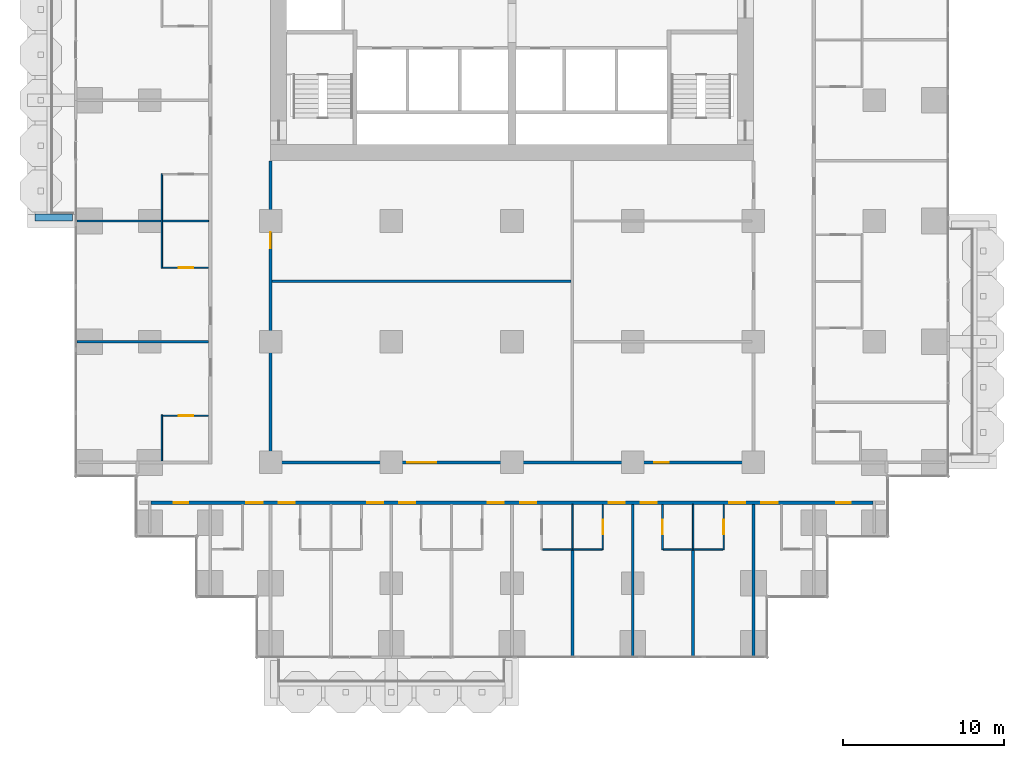
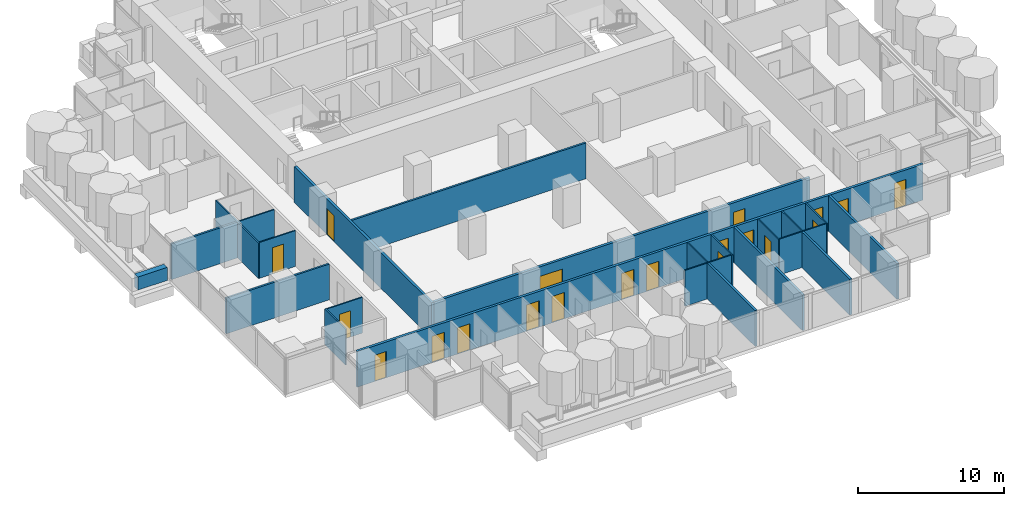
# One storey, part 10 of 17: 23 walls, 20 doors, 20 openings.
"""IFC4 building model written with IfcOpenShell, lengths in metres."""

from ifc_helpers import new_model, si_unit, direction, frame, frame_2d, origin, place, context, subcontext, project, spatial, rectangle, extrude, material, layer, layer_set, type_object, element, fill, save


model = new_model("IFC4")

# Units and contexts
model_context = context("Model", 3, precision=1e-05, world=origin(), true_north=direction((0.0, 1.0)))
body_context = subcontext(model_context, "Body", "Model", "MODEL_VIEW")
ifc_project = project(units=[si_unit("LENGTHUNIT", "METRE"), si_unit("AREAUNIT", "SQUARE_METRE"), si_unit("VOLUMEUNIT", "CUBIC_METRE"), si_unit("PLANEANGLEUNIT", "RADIAN"), si_unit("MASSUNIT", "GRAM", prefix="KILO")], contexts=[model_context])

# Site, building, storey
site_placement = place(None, origin())
site = spatial("IfcSite", under=ifc_project, at=site_placement, CompositionType="ELEMENT")
building_placement = place(site_placement, origin())
building = spatial("IfcBuilding", under=site, at=building_placement, Name="Pilkhan Gate Tower", CompositionType="ELEMENT")
storey_placement = place(building_placement, frame((0.0, 0.0, 49.39990234375)))
storey = spatial("IfcBuildingStorey", under=building, at=storey_placement, Name="L09", CompositionType="ELEMENT", Elevation=49.39990234375)

# Walls
ifc_material_1 = material(Name="Dense blockwork", Category="masonry")
ifc_layer_1 = layer(ifc_material_1, 0.175048828125)
ifc_layer_set_1 = layer_set([ifc_layer_1], Name="Acoustic party wall PW175")
wall_type_1 = type_object("IfcWallType", Name="Acoustic party wall PW175", PredefinedType="PARTITIONING", material=ifc_layer_set_1)
wall_1_placement = place(storey_placement, frame((78.75, 40.485107421875, 0.0), z_axis=(0.0, 0.0, 1.0), x_axis=(0.0, 1.0, 0.0)))
element("IfcWall", 1, at=wall_1_placement, inside=storey, type_object=wall_type_1, Name="Partition L09", PredefinedType="PARTITIONING", context=body_context, shape_type="SweptSolid", body=[
    extrude(rectangle(XDim=6.56494140625, YDim=0.175048828125, at=frame_2d((3.282470703125, 0.0))), origin(), (0.0, 0.0, 1.0), 3.0),
])
wall_2_placement = place(storey_placement, frame((82.5, 40.485107421875, 0.0), z_axis=(0.0, 0.0, 1.0), x_axis=(0.0, 1.0, 0.0)))
element("IfcWall", 2, at=wall_2_placement, inside=storey, type_object=wall_type_1, Name="Partition L09", PredefinedType="PARTITIONING", context=body_context, shape_type="SweptSolid", body=[
    extrude(rectangle(XDim=9.414794921875, YDim=0.175048828125, at=frame_2d((4.70751953125, 0.0))), origin(), (0.0, 0.0, 1.0), 3.0),
])
wall_3_placement = place(storey_placement, frame((86.25, 40.485107421875, 0.0), z_axis=(0.0, 0.0, 1.0), x_axis=(0.0, 1.0, 0.0)))
element("IfcWall", 3, at=wall_3_placement, inside=storey, type_object=wall_type_1, Name="Partition L09", PredefinedType="PARTITIONING", context=body_context, shape_type="SweptSolid", body=[
    extrude(rectangle(XDim=6.56494140625, YDim=0.175048828125, at=frame_2d((3.282470703125, 0.0))), origin(), (0.0, 0.0, 1.0), 3.0),
])
wall_4_placement = place(storey_placement, frame((90.0, 40.485107421875, 0.0), z_axis=(0.0, 0.0, 1.0), x_axis=(0.0, 1.0, 0.0)))
element("IfcWall", 4, at=wall_4_placement, inside=storey, type_object=wall_type_1, Name="Partition L09", PredefinedType="PARTITIONING", context=body_context, shape_type="SweptSolid", body=[
    extrude(rectangle(XDim=9.414794921875, YDim=0.175048828125, at=frame_2d((4.70751953125, 0.0))), origin(), (0.0, 0.0, 1.0), 3.0),
])
ifc_material_2 = material(Name="Board-marked Concrete C40/50", Category="concrete")
ifc_layer_2 = layer(ifc_material_2, 0.449951171875)
ifc_layer_set_2 = layer_set([ifc_layer_2], Name="Balcony planter lip BL450")
wall_type_2 = type_object("IfcWallType", Name="Balcony planter lip BL450", PredefinedType="USERDEFINED", material=ifc_layer_set_2)
wall_5_placement = place(storey_placement, frame((47.679931640625, 67.72509765625, 0.0), z_axis=(0.0, 0.0, 1.0), x_axis=(-1.0, 0.0, 0.0)))
element("IfcWall", 5, at=wall_5_placement, inside=storey, type_object=wall_type_2, Name="Balcony planter L09 W", ObjectType="BALCONY PLANTER", PredefinedType="USERDEFINED", context=body_context, shape_type="SweptSolid", body=[
    extrude(rectangle(XDim=2.329833984375, YDim=0.449951171875, at=frame_2d((1.1650390625, 0.0))), origin(), (0.0, 0.0, 1.0), 1.10009765625),
])

# Wall, openings, doors
ifc_layer_3 = layer(ifc_material_1, 0.199951171875)
ifc_layer_set_3 = layer_set([ifc_layer_3], Name="Corridor wall FW200")
wall_type_3 = type_object("IfcWallType", Name="Corridor wall FW200", PredefinedType="PARTITIONING", material=ifc_layer_set_3)
wall_6_placement = place(storey_placement, frame((52.574951171875, 50.0, 0.0), z_axis=(0.0, 0.0, 1.0), x_axis=(1.0, 0.0, 0.0)))
wall_6 = element("IfcWall", 6, at=wall_6_placement, inside=storey, type_object=wall_type_3, Name="Partition L09", PredefinedType="PARTITIONING", context=body_context, shape_type="SweptSolid", body=[
    extrude(rectangle(XDim=44.85009765625, YDim=0.199951171875, at=frame_2d((22.425048828125, 0.0))), origin(), (0.0, 0.0, 1.0), 3.0),
])
opening_1_placement = place(wall_6_placement, frame((5.925048828125, 0.0, 0.0)))
opening_1 = element("IfcOpeningElement", 7, at=opening_1_placement, cuts=wall_6, Name="Opening L09-06", PredefinedType="OPENING", context=body_context, shape_type="SweptSolid", body=[
    extrude(rectangle(XDim=1.0, YDim=2.199951171875, at=frame_2d((0.5, 1.10009765625))), frame((0.0, 0.10986328125, 0.0), z_axis=(0.0, -1.0, 0.0), x_axis=(1.0, 0.0, 0.0)), (0.0, 0.0, 1.0), 0.219970703125),
])
opening_2_placement = place(wall_6_placement, frame((7.925048828125, 0.0, 0.0)))
opening_2 = element("IfcOpeningElement", 8, at=opening_2_placement, cuts=wall_6, Name="Opening L09-08", PredefinedType="OPENING", context=body_context, shape_type="SweptSolid", body=[
    extrude(rectangle(XDim=1.0, YDim=2.199951171875, at=frame_2d((0.5, 1.10009765625))), frame((0.0, 0.10986328125, 0.0), z_axis=(0.0, -1.0, 0.0), x_axis=(1.0, 0.0, 0.0)), (0.0, 0.0, 1.0), 0.219970703125),
])
opening_3_placement = place(wall_6_placement, frame((13.425048828125, 0.0, 0.0)))
opening_3 = element("IfcOpeningElement", 9, at=opening_3_placement, cuts=wall_6, Name="Opening L09-10", PredefinedType="OPENING", context=body_context, shape_type="SweptSolid", body=[
    extrude(rectangle(XDim=1.0, YDim=2.199951171875, at=frame_2d((0.5, 1.10009765625))), frame((0.0, 0.10986328125, 0.0), z_axis=(0.0, -1.0, 0.0), x_axis=(1.0, 0.0, 0.0)), (0.0, 0.0, 1.0), 0.219970703125),
])
opening_4_placement = place(wall_6_placement, frame((15.425048828125, 0.0, 0.0)))
opening_4 = element("IfcOpeningElement", 10, at=opening_4_placement, cuts=wall_6, Name="Opening L09-12", PredefinedType="OPENING", context=body_context, shape_type="SweptSolid", body=[
    extrude(rectangle(XDim=1.0, YDim=2.199951171875, at=frame_2d((0.5, 1.10009765625))), frame((0.0, 0.10986328125, 0.0), z_axis=(0.0, -1.0, 0.0), x_axis=(1.0, 0.0, 0.0)), (0.0, 0.0, 1.0), 0.219970703125),
])
opening_5_placement = place(wall_6_placement, frame((20.925048828125, 0.0, 0.0)))
opening_5 = element("IfcOpeningElement", 11, at=opening_5_placement, cuts=wall_6, Name="Opening L09-14", PredefinedType="OPENING", context=body_context, shape_type="SweptSolid", body=[
    extrude(rectangle(XDim=1.0, YDim=2.199951171875, at=frame_2d((0.5, 1.10009765625))), frame((0.0, 0.10986328125, 0.0), z_axis=(0.0, -1.0, 0.0), x_axis=(1.0, 0.0, 0.0)), (0.0, 0.0, 1.0), 0.219970703125),
])
opening_6_placement = place(wall_6_placement, frame((22.925048828125, 0.0, 0.0)))
opening_6 = element("IfcOpeningElement", 12, at=opening_6_placement, cuts=wall_6, Name="Opening L09-16", PredefinedType="OPENING", context=body_context, shape_type="SweptSolid", body=[
    extrude(rectangle(XDim=1.0, YDim=2.199951171875, at=frame_2d((0.5, 1.10009765625))), frame((0.0, 0.10986328125, 0.0), z_axis=(0.0, -1.0, 0.0), x_axis=(1.0, 0.0, 0.0)), (0.0, 0.0, 1.0), 0.219970703125),
])
opening_7_placement = place(wall_6_placement, frame((28.425048828125, 0.0, 0.0)))
opening_7 = element("IfcOpeningElement", 13, at=opening_7_placement, cuts=wall_6, Name="Opening L09-18", PredefinedType="OPENING", context=body_context, shape_type="SweptSolid", body=[
    extrude(rectangle(XDim=1.0, YDim=2.199951171875, at=frame_2d((0.5, 1.10009765625))), frame((0.0, 0.10986328125, 0.0), z_axis=(0.0, -1.0, 0.0), x_axis=(1.0, 0.0, 0.0)), (0.0, 0.0, 1.0), 0.219970703125),
])
opening_8_placement = place(wall_6_placement, frame((30.425048828125, 0.0, 0.0)))
opening_8 = element("IfcOpeningElement", 14, at=opening_8_placement, cuts=wall_6, Name="Opening L09-20", PredefinedType="OPENING", context=body_context, shape_type="SweptSolid", body=[
    extrude(rectangle(XDim=1.0, YDim=2.199951171875, at=frame_2d((0.5, 1.10009765625))), frame((0.0, 0.10986328125, 0.0), z_axis=(0.0, -1.0, 0.0), x_axis=(1.0, 0.0, 0.0)), (0.0, 0.0, 1.0), 0.219970703125),
])
opening_9_placement = place(wall_6_placement, frame((35.925048828125, 0.0, 0.0)))
opening_9 = element("IfcOpeningElement", 15, at=opening_9_placement, cuts=wall_6, Name="Opening L09-22", PredefinedType="OPENING", context=body_context, shape_type="SweptSolid", body=[
    extrude(rectangle(XDim=1.0, YDim=2.199951171875, at=frame_2d((0.5, 1.10009765625))), frame((0.0, 0.10986328125, 0.0), z_axis=(0.0, -1.0, 0.0), x_axis=(1.0, 0.0, 0.0)), (0.0, 0.0, 1.0), 0.219970703125),
])
opening_10_placement = place(wall_6_placement, frame((37.925048828125, 0.0, 0.0)))
opening_10 = element("IfcOpeningElement", 16, at=opening_10_placement, cuts=wall_6, Name="Opening L09-24", PredefinedType="OPENING", context=body_context, shape_type="SweptSolid", body=[
    extrude(rectangle(XDim=1.0, YDim=2.199951171875, at=frame_2d((0.5, 1.10009765625))), frame((0.0, 0.10986328125, 0.0), z_axis=(0.0, -1.0, 0.0), x_axis=(1.0, 0.0, 0.0)), (0.0, 0.0, 1.0), 0.219970703125),
])
opening_11_placement = place(wall_6_placement, frame((1.39990234375, 0.0, 0.0)))
opening_11 = element("IfcOpeningElement", 17, at=opening_11_placement, cuts=wall_6, Name="Opening L09-52", PredefinedType="OPENING", context=body_context, shape_type="SweptSolid", body=[
    extrude(rectangle(XDim=0.89990234375, YDim=2.199951171875, at=frame_2d((0.449951171875, 1.10009765625))), frame((0.0, 0.10986328125, 0.0), z_axis=(0.0, -1.0, 0.0), x_axis=(1.0, 0.0, 0.0)), (0.0, 0.0, 1.0), 0.219970703125),
])
opening_12_placement = place(wall_6_placement, frame((42.574951171875, 0.0, 0.0)))
opening_12 = element("IfcOpeningElement", 18, at=opening_12_placement, cuts=wall_6, Name="Opening L09-53", PredefinedType="OPENING", context=body_context, shape_type="SweptSolid", body=[
    extrude(rectangle(XDim=0.89990234375, YDim=2.199951171875, at=frame_2d((0.449951171875, 1.10009765625))), frame((0.0, 0.10986328125, 0.0), z_axis=(0.0, -1.0, 0.0), x_axis=(1.0, 0.0, 0.0)), (0.0, 0.0, 1.0), 0.219970703125),
])
ifc_material_3 = material(Name="Timber flush door, 30 minute fire resisting", Category="wood")
door_type_1 = type_object("IfcDoorType", Name="Guest room door D01 1000x2200", OperationType="SINGLE_SWING_LEFT", PredefinedType="DOOR", material=ifc_material_3)
door_1_placement = place(opening_1_placement, origin())
door_1 = element("IfcDoor", 19, at=door_1_placement, inside=storey, type_object=door_type_1, Name="Guest room door", OperationType="SINGLE_SWING_LEFT", OverallHeight=2.199951171875, OverallWidth=1.0, PredefinedType="DOOR", context=body_context, shape_type="SweptSolid", body=[
    extrude(rectangle(XDim=1.0, YDim=2.199951171875, at=frame_2d((0.5, 1.10009765625))), frame((0.0, 0.02490234375, 0.0), z_axis=(0.0, -1.0, 0.0), x_axis=(1.0, 0.0, 0.0)), (0.0, 0.0, 1.0), 0.050048828125),
])
fill(opening_1, door_1)
door_2_placement = place(opening_2_placement, origin())
door_2 = element("IfcDoor", 20, at=door_2_placement, inside=storey, type_object=door_type_1, Name="Guest room door", OperationType="SINGLE_SWING_LEFT", OverallHeight=2.199951171875, OverallWidth=1.0, PredefinedType="DOOR", context=body_context, shape_type="SweptSolid", body=[
    extrude(rectangle(XDim=1.0, YDim=2.199951171875, at=frame_2d((0.5, 1.10009765625))), frame((0.0, 0.02490234375, 0.0), z_axis=(0.0, -1.0, 0.0), x_axis=(1.0, 0.0, 0.0)), (0.0, 0.0, 1.0), 0.050048828125),
])
fill(opening_2, door_2)
door_3_placement = place(opening_3_placement, origin())
door_3 = element("IfcDoor", 21, at=door_3_placement, inside=storey, type_object=door_type_1, Name="Guest room door", OperationType="SINGLE_SWING_LEFT", OverallHeight=2.199951171875, OverallWidth=1.0, PredefinedType="DOOR", context=body_context, shape_type="SweptSolid", body=[
    extrude(rectangle(XDim=1.0, YDim=2.199951171875, at=frame_2d((0.5, 1.10009765625))), frame((0.0, 0.02490234375, 0.0), z_axis=(0.0, -1.0, 0.0), x_axis=(1.0, 0.0, 0.0)), (0.0, 0.0, 1.0), 0.050048828125),
])
fill(opening_3, door_3)
door_4_placement = place(opening_4_placement, origin())
door_4 = element("IfcDoor", 22, at=door_4_placement, inside=storey, type_object=door_type_1, Name="Guest room door", OperationType="SINGLE_SWING_LEFT", OverallHeight=2.199951171875, OverallWidth=1.0, PredefinedType="DOOR", context=body_context, shape_type="SweptSolid", body=[
    extrude(rectangle(XDim=1.0, YDim=2.199951171875, at=frame_2d((0.5, 1.10009765625))), frame((0.0, 0.02490234375, 0.0), z_axis=(0.0, -1.0, 0.0), x_axis=(1.0, 0.0, 0.0)), (0.0, 0.0, 1.0), 0.050048828125),
])
fill(opening_4, door_4)
door_5_placement = place(opening_5_placement, origin())
door_5 = element("IfcDoor", 23, at=door_5_placement, inside=storey, type_object=door_type_1, Name="Guest room door", OperationType="SINGLE_SWING_RIGHT", OverallHeight=2.199951171875, OverallWidth=1.0, PredefinedType="DOOR", context=body_context, shape_type="SweptSolid", body=[
    extrude(rectangle(XDim=1.0, YDim=2.199951171875, at=frame_2d((0.5, 1.10009765625))), frame((0.0, 0.02490234375, 0.0), z_axis=(0.0, -1.0, 0.0), x_axis=(1.0, 0.0, 0.0)), (0.0, 0.0, 1.0), 0.050048828125),
])
fill(opening_5, door_5)
door_6_placement = place(opening_6_placement, origin())
door_6 = element("IfcDoor", 24, at=door_6_placement, inside=storey, type_object=door_type_1, Name="Guest room door", OperationType="SINGLE_SWING_LEFT", OverallHeight=2.199951171875, OverallWidth=1.0, PredefinedType="DOOR", context=body_context, shape_type="SweptSolid", body=[
    extrude(rectangle(XDim=1.0, YDim=2.199951171875, at=frame_2d((0.5, 1.10009765625))), frame((0.0, 0.02490234375, 0.0), z_axis=(0.0, -1.0, 0.0), x_axis=(1.0, 0.0, 0.0)), (0.0, 0.0, 1.0), 0.050048828125),
])
fill(opening_6, door_6)
door_7_placement = place(opening_7_placement, origin())
door_7 = element("IfcDoor", 25, at=door_7_placement, inside=storey, type_object=door_type_1, Name="Guest room door", OperationType="SINGLE_SWING_RIGHT", OverallHeight=2.199951171875, OverallWidth=1.0, PredefinedType="DOOR", context=body_context, shape_type="SweptSolid", body=[
    extrude(rectangle(XDim=1.0, YDim=2.199951171875, at=frame_2d((0.5, 1.10009765625))), frame((0.0, 0.02490234375, 0.0), z_axis=(0.0, -1.0, 0.0), x_axis=(1.0, 0.0, 0.0)), (0.0, 0.0, 1.0), 0.050048828125),
])
fill(opening_7, door_7)
door_8_placement = place(opening_8_placement, origin())
door_8 = element("IfcDoor", 26, at=door_8_placement, inside=storey, type_object=door_type_1, Name="Guest room door", OperationType="SINGLE_SWING_LEFT", OverallHeight=2.199951171875, OverallWidth=1.0, PredefinedType="DOOR", context=body_context, shape_type="SweptSolid", body=[
    extrude(rectangle(XDim=1.0, YDim=2.199951171875, at=frame_2d((0.5, 1.10009765625))), frame((0.0, 0.02490234375, 0.0), z_axis=(0.0, -1.0, 0.0), x_axis=(1.0, 0.0, 0.0)), (0.0, 0.0, 1.0), 0.050048828125),
])
fill(opening_8, door_8)
door_9_placement = place(opening_9_placement, origin())
door_9 = element("IfcDoor", 27, at=door_9_placement, inside=storey, type_object=door_type_1, Name="Guest room door", OperationType="SINGLE_SWING_LEFT", OverallHeight=2.199951171875, OverallWidth=1.0, PredefinedType="DOOR", context=body_context, shape_type="SweptSolid", body=[
    extrude(rectangle(XDim=1.0, YDim=2.199951171875, at=frame_2d((0.5, 1.10009765625))), frame((0.0, 0.02490234375, 0.0), z_axis=(0.0, -1.0, 0.0), x_axis=(1.0, 0.0, 0.0)), (0.0, 0.0, 1.0), 0.050048828125),
])
fill(opening_9, door_9)
door_10_placement = place(opening_10_placement, origin())
door_10 = element("IfcDoor", 28, at=door_10_placement, inside=storey, type_object=door_type_1, Name="Guest room door", OperationType="SINGLE_SWING_RIGHT", OverallHeight=2.199951171875, OverallWidth=1.0, PredefinedType="DOOR", context=body_context, shape_type="SweptSolid", body=[
    extrude(rectangle(XDim=1.0, YDim=2.199951171875, at=frame_2d((0.5, 1.10009765625))), frame((0.0, 0.02490234375, 0.0), z_axis=(0.0, -1.0, 0.0), x_axis=(1.0, 0.0, 0.0)), (0.0, 0.0, 1.0), 0.050048828125),
])
fill(opening_10, door_10)
ifc_material_4 = material(Name="Timber flush door, 60 minute fire resisting, self-closing", Category="wood")
door_type_2 = type_object("IfcDoorType", Name="Store door D05 900x2200", OperationType="SINGLE_SWING_LEFT", PredefinedType="DOOR", material=ifc_material_4)
door_11_placement = place(opening_11_placement, origin())
door_11 = element("IfcDoor", 29, at=door_11_placement, inside=storey, type_object=door_type_2, Name="Store door", OperationType="SINGLE_SWING_RIGHT", OverallHeight=2.199951171875, OverallWidth=0.89990234375, PredefinedType="DOOR", context=body_context, shape_type="SweptSolid", body=[
    extrude(rectangle(XDim=0.89990234375, YDim=2.199951171875, at=frame_2d((0.449951171875, 1.10009765625))), frame((0.0, 0.02490234375, 0.0), z_axis=(0.0, -1.0, 0.0), x_axis=(1.0, 0.0, 0.0)), (0.0, 0.0, 1.0), 0.050048828125),
])
fill(opening_11, door_11)
door_12_placement = place(opening_12_placement, origin())
door_12 = element("IfcDoor", 30, at=door_12_placement, inside=storey, type_object=door_type_2, Name="Store door", OperationType="SINGLE_SWING_LEFT", OverallHeight=2.199951171875, OverallWidth=0.89990234375, PredefinedType="DOOR", context=body_context, shape_type="SweptSolid", body=[
    extrude(rectangle(XDim=0.89990234375, YDim=2.199951171875, at=frame_2d((0.449951171875, 1.10009765625))), frame((0.0, 0.02490234375, 0.0), z_axis=(0.0, -1.0, 0.0), x_axis=(1.0, 0.0, 0.0)), (0.0, 0.0, 1.0), 0.050048828125),
])
fill(opening_12, door_12)

wall_7_placement = place(storey_placement, frame((60.10009765625, 52.5, 0.0), z_axis=(0.0, 0.0, 1.0), x_axis=(1.0, 0.0, 0.0)))
wall_7 = element("IfcWall", 31, at=wall_7_placement, inside=storey, type_object=wall_type_3, Name="Partition L09", PredefinedType="PARTITIONING", context=body_context, shape_type="SweptSolid", body=[
    extrude(rectangle(XDim=29.7998046875, YDim=0.199951171875, at=frame_2d((14.89990234375, 0.0))), origin(), (0.0, 0.0, 1.0), 3.0),
])
opening_13_placement = place(wall_7_placement, frame((8.39990234375, 0.0, 0.0)))
opening_13 = element("IfcOpeningElement", 32, at=opening_13_placement, cuts=wall_7, Name="Opening L09-55", PredefinedType="OPENING", context=body_context, shape_type="SweptSolid", body=[
    extrude(rectangle(XDim=1.800048828125, YDim=2.199951171875, at=frame_2d((0.89990234375, 1.10009765625))), frame((0.0, 0.10986328125, 0.0), z_axis=(0.0, -1.0, 0.0), x_axis=(1.0, 0.0, 0.0)), (0.0, 0.0, 1.0), 0.219970703125),
])
opening_14_placement = place(wall_7_placement, frame((23.75, 0.0, 0.0)))
opening_14 = element("IfcOpeningElement", 33, at=opening_14_placement, cuts=wall_7, Name="Opening L09-56", PredefinedType="OPENING", context=body_context, shape_type="SweptSolid", body=[
    extrude(rectangle(XDim=0.89990234375, YDim=2.199951171875, at=frame_2d((0.449951171875, 1.10009765625))), frame((0.0, 0.10986328125, 0.0), z_axis=(0.0, -1.0, 0.0), x_axis=(1.0, 0.0, 0.0)), (0.0, 0.0, 1.0), 0.219970703125),
])
ifc_material_5 = material(Name="Timber glazed double door, 30 minute fire resisting", Category="wood")
door_type_3 = type_object("IfcDoorType", Name="Double door D04 1800x2200", OperationType="DOUBLE_DOOR_SINGLE_SWING", PredefinedType="DOOR", material=ifc_material_5)
door_13_placement = place(opening_13_placement, origin())
door_13 = element("IfcDoor", 34, at=door_13_placement, inside=storey, type_object=door_type_3, Name="Double door", OperationType="DOUBLE_DOOR_SINGLE_SWING", OverallHeight=2.199951171875, OverallWidth=1.800048828125, PredefinedType="DOOR", context=body_context, shape_type="SweptSolid", body=[
    extrude(rectangle(XDim=1.800048828125, YDim=2.199951171875, at=frame_2d((0.89990234375, 1.10009765625))), frame((0.0, 0.02490234375, 0.0), z_axis=(0.0, -1.0, 0.0), x_axis=(1.0, 0.0, 0.0)), (0.0, 0.0, 1.0), 0.050048828125),
])
fill(opening_13, door_13)
door_14_placement = place(opening_14_placement, origin())
door_14 = element("IfcDoor", 35, at=door_14_placement, inside=storey, type_object=door_type_2, Name="Store door", OperationType="SINGLE_SWING_RIGHT", OverallHeight=2.199951171875, OverallWidth=0.89990234375, PredefinedType="DOOR", context=body_context, shape_type="SweptSolid", body=[
    extrude(rectangle(XDim=0.89990234375, YDim=2.199951171875, at=frame_2d((0.449951171875, 1.10009765625))), frame((0.0, 0.02490234375, 0.0), z_axis=(0.0, -1.0, 0.0), x_axis=(1.0, 0.0, 0.0)), (0.0, 0.0, 1.0), 0.050048828125),
])
fill(opening_14, door_14)

# Wall, opening, door
wall_8_placement = place(storey_placement, frame((60.0, 52.39990234375, 0.0), z_axis=(0.0, 0.0, 1.0), x_axis=(0.0, 1.0, 0.0)))
wall_8 = element("IfcWall", 36, at=wall_8_placement, inside=storey, type_object=wall_type_3, Name="Partition L09", PredefinedType="PARTITIONING", context=body_context, shape_type="SweptSolid", body=[
    extrude(rectangle(XDim=18.840087890625, YDim=0.199951171875, at=frame_2d((9.419921875, 0.0))), origin(), (0.0, 0.0, 1.0), 3.0),
])
opening_15_placement = place(wall_8_placement, frame((13.39990234375, 0.0, 0.0)))
opening_15 = element("IfcOpeningElement", 37, at=opening_15_placement, cuts=wall_8, Name="Opening L09-58", PredefinedType="OPENING", context=body_context, shape_type="SweptSolid", body=[
    extrude(rectangle(XDim=1.0, YDim=2.199951171875, at=frame_2d((0.5, 1.10009765625))), frame((0.0, 0.10986328125, 0.0), z_axis=(0.0, -1.0, 0.0), x_axis=(1.0, 0.0, 0.0)), (0.0, 0.0, 1.0), 0.219970703125),
])
door_type_4 = type_object("IfcDoorType", Name="Room door D03 1000x2200", OperationType="SINGLE_SWING_LEFT", PredefinedType="DOOR", material=ifc_material_3)
door_15_placement = place(opening_15_placement, origin())
door_15 = element("IfcDoor", 38, at=door_15_placement, inside=storey, type_object=door_type_4, Name="Room door", OperationType="SINGLE_SWING_LEFT", OverallHeight=2.199951171875, OverallWidth=1.0, PredefinedType="DOOR", context=body_context, shape_type="SweptSolid", body=[
    extrude(rectangle(XDim=1.0, YDim=2.199951171875, at=frame_2d((0.5, 1.10009765625))), frame((0.0, 0.02490234375, 0.0), z_axis=(0.0, -1.0, 0.0), x_axis=(1.0, 0.0, 0.0)), (0.0, 0.0, 1.0), 0.050048828125),
])
fill(opening_15, door_15)

# Walls
ifc_material_6 = material(Name="Blockwork partition, plastered both sides", Category="masonry")
ifc_layer_4 = layer(ifc_material_6, 0.14990234375)
ifc_layer_set_4 = layer_set([ifc_layer_4], Name="Partition PW150")
wall_type_4 = type_object("IfcWallType", Name="Partition PW150", PredefinedType="PARTITIONING", material=ifc_layer_set_4)
wall_9_placement = place(storey_placement, frame((47.985107421875, 60.0, 0.0), z_axis=(0.0, 0.0, 1.0), x_axis=(1.0, 0.0, 0.0)))
element("IfcWall", 39, at=wall_9_placement, inside=storey, type_object=wall_type_4, Name="Partition L09", PredefinedType="PARTITIONING", context=body_context, shape_type="SweptSolid", body=[
    extrude(rectangle(XDim=8.164794921875, YDim=0.14990234375, at=frame_2d((4.08251953125, 0.0))), origin(), (0.0, 0.0, 1.0), 3.0),
])
wall_10_placement = place(storey_placement, frame((60.10009765625, 63.75, 0.0), z_axis=(0.0, 0.0, 1.0), x_axis=(1.0, 0.0, 0.0)))
element("IfcWall", 40, at=wall_10_placement, inside=storey, type_object=wall_type_4, Name="Partition L09", PredefinedType="PARTITIONING", context=body_context, shape_type="SweptSolid", body=[
    extrude(rectangle(XDim=18.574951171875, YDim=0.14990234375, at=frame_2d((9.28759765625, 0.0))), origin(), (0.0, 0.0, 1.0), 3.0),
])
wall_11_placement = place(storey_placement, frame((47.985107421875, 67.5, 0.0), z_axis=(0.0, 0.0, 1.0), x_axis=(1.0, 0.0, 0.0)))
element("IfcWall", 41, at=wall_11_placement, inside=storey, type_object=wall_type_4, Name="Partition L09", PredefinedType="PARTITIONING", context=body_context, shape_type="SweptSolid", body=[
    extrude(rectangle(XDim=5.21484375, YDim=0.14990234375, at=frame_2d((2.607421875, 0.0))), origin(), (0.0, 0.0, 1.0), 3.0),
])
ifc_material_7 = material(Name="Moisture resistant board, tiled")
ifc_layer_5 = layer(ifc_material_7, 0.10009765625)
ifc_layer_set_5 = layer_set([ifc_layer_5], Name="Wet wall PW100")
wall_type_5 = type_object("IfcWallType", Name="Wet wall PW100", PredefinedType="PARTITIONING", material=ifc_layer_set_5)
for number, where, z_axis, x_axis, name in (
    (42, (76.89990234375, 47.10009765625, 0.0), (0.0, 0.0, 1.0), (1.0, 0.0, 0.0), "Partition L09"),
    (43, (84.39990234375, 47.10009765625, 0.0), (0.0, 0.0, 1.0), (1.0, 0.0, 0.0), "Partition L09"),
):
    element("IfcWall", number, at=place(storey_placement, frame(where, z_axis=z_axis, x_axis=x_axis)), inside=storey, type_object=wall_type_5, Name=name, PredefinedType="PARTITIONING", context=body_context, shape_type="SweptSolid", body=[
        extrude(rectangle(XDim=3.7001953125, YDim=0.10009765625, at=frame_2d((1.85009765625, 0.0))), origin(), (0.0, 0.0, 1.0), 3.0),
    ])

# Wall, opening, door
wall_12_placement = place(storey_placement, frame((53.300048828125, 55.39990234375, 0.0), z_axis=(0.0, 0.0, 1.0), x_axis=(1.0, 0.0, 0.0)))
wall_12 = element("IfcWall", 44, at=wall_12_placement, inside=storey, type_object=wall_type_5, Name="Partition L09", PredefinedType="PARTITIONING", context=body_context, shape_type="SweptSolid", body=[
    extrude(rectangle(XDim=2.849853515625, YDim=0.10009765625, at=frame_2d((1.4248046875, 0.0))), origin(), (0.0, 0.0, 1.0), 3.0),
])
opening_16_placement = place(wall_12_placement, frame((1.0, 0.0, 0.0)))
opening_16 = element("IfcOpeningElement", 45, at=opening_16_placement, cuts=wall_12, Name="Opening L09-27", PredefinedType="OPENING", context=body_context, shape_type="SweptSolid", body=[
    extrude(rectangle(XDim=0.89990234375, YDim=2.199951171875, at=frame_2d((0.449951171875, 1.10009765625))), frame((0.0, 0.06005859375, 0.0), z_axis=(0.0, -1.0, 0.0), x_axis=(1.0, 0.0, 0.0)), (0.0, 0.0, 1.0), 0.1201171875),
])
ifc_material_8 = material(Name="Timber flush door", Category="wood")
door_type_5 = type_object("IfcDoorType", Name="Bathroom door D02 900x2200", OperationType="SINGLE_SWING_RIGHT", PredefinedType="DOOR", material=ifc_material_8)
door_16_placement = place(opening_16_placement, origin())
door_16 = element("IfcDoor", 46, at=door_16_placement, inside=storey, type_object=door_type_5, Name="Bathroom door", OperationType="SINGLE_SWING_RIGHT", OverallHeight=2.199951171875, OverallWidth=0.89990234375, PredefinedType="DOOR", context=body_context, shape_type="SweptSolid", body=[
    extrude(rectangle(XDim=0.89990234375, YDim=2.199951171875, at=frame_2d((0.449951171875, 1.10009765625))), frame((0.0, 0.02490234375, 0.0), z_axis=(0.0, -1.0, 0.0), x_axis=(1.0, 0.0, 0.0)), (0.0, 0.0, 1.0), 0.050048828125),
])
fill(opening_16, door_16)

wall_13_placement = place(storey_placement, frame((53.300048828125, 64.60009765625, 0.0), z_axis=(0.0, 0.0, 1.0), x_axis=(1.0, 0.0, 0.0)))
wall_13 = element("IfcWall", 47, at=wall_13_placement, inside=storey, type_object=wall_type_5, Name="Partition L09", PredefinedType="PARTITIONING", context=body_context, shape_type="SweptSolid", body=[
    extrude(rectangle(XDim=2.849853515625, YDim=0.10009765625, at=frame_2d((1.4248046875, 0.0))), origin(), (0.0, 0.0, 1.0), 3.0),
])
opening_17_placement = place(wall_13_placement, frame((1.0, 0.0, 0.0)))
opening_17 = element("IfcOpeningElement", 48, at=opening_17_placement, cuts=wall_13, Name="Opening L09-29", PredefinedType="OPENING", context=body_context, shape_type="SweptSolid", body=[
    extrude(rectangle(XDim=0.89990234375, YDim=2.199951171875, at=frame_2d((0.449951171875, 1.10009765625))), frame((0.0, 0.06005859375, 0.0), z_axis=(0.0, -1.0, 0.0), x_axis=(1.0, 0.0, 0.0)), (0.0, 0.0, 1.0), 0.1201171875),
])
door_17_placement = place(opening_17_placement, origin())
door_17 = element("IfcDoor", 49, at=door_17_placement, inside=storey, type_object=door_type_5, Name="Bathroom door", OperationType="SINGLE_SWING_RIGHT", OverallHeight=2.199951171875, OverallWidth=0.89990234375, PredefinedType="DOOR", context=body_context, shape_type="SweptSolid", body=[
    extrude(rectangle(XDim=0.89990234375, YDim=2.199951171875, at=frame_2d((0.449951171875, 1.10009765625))), frame((0.0, 0.02490234375, 0.0), z_axis=(0.0, -1.0, 0.0), x_axis=(1.0, 0.0, 0.0)), (0.0, 0.0, 1.0), 0.050048828125),
])
fill(opening_17, door_17)

# Walls
for number, where, z_axis, x_axis, name in (
    (50, (53.300048828125, 67.5, 0.0), (0.0, 0.0, 1.0), (1.0, 0.0, 0.0), "Partition L09"),
    (51, (53.25, 52.60009765625, 0.0), (0.0, 0.0, 1.0), (0.0, 1.0, 0.0), "Partition L09"),
):
    element("IfcWall", number, at=place(storey_placement, frame(where, z_axis=z_axis, x_axis=x_axis)), inside=storey, type_object=wall_type_5, Name=name, PredefinedType="PARTITIONING", context=body_context, shape_type="SweptSolid", body=[
        extrude(rectangle(XDim=2.849853515625, YDim=0.10009765625, at=frame_2d((1.4248046875, 0.0))), origin(), (0.0, 0.0, 1.0), 3.0),
    ])
wall_14_placement = place(storey_placement, frame((53.25, 64.550048828125, 0.0), z_axis=(0.0, 0.0, 1.0), x_axis=(0.0, 1.0, 0.0)))
element("IfcWall", 52, at=wall_14_placement, inside=storey, type_object=wall_type_5, Name="Partition L09", PredefinedType="PARTITIONING", context=body_context, shape_type="SweptSolid", body=[
    extrude(rectangle(XDim=5.89990234375, YDim=0.10009765625, at=frame_2d((2.949951171875, 0.0))), origin(), (0.0, 0.0, 1.0), 3.0),
])
wall_15_placement = place(storey_placement, frame((78.75, 47.14990234375, 0.0), z_axis=(0.0, 0.0, 1.0), x_axis=(0.0, 1.0, 0.0)))
element("IfcWall", 53, at=wall_15_placement, inside=storey, type_object=wall_type_5, Name="Partition L09", PredefinedType="PARTITIONING", context=body_context, shape_type="SweptSolid", body=[
    extrude(rectangle(XDim=2.75, YDim=0.10009765625, at=frame_2d((1.375, 0.0))), origin(), (0.0, 0.0, 1.0), 3.0),
])

# Wall, opening, door
wall_16_placement = place(storey_placement, frame((80.64990234375, 47.050048828125, 0.0), z_axis=(0.0, 0.0, 1.0), x_axis=(0.0, 1.0, 0.0)))
wall_16 = element("IfcWall", 54, at=wall_16_placement, inside=storey, type_object=wall_type_5, Name="Partition L09", PredefinedType="PARTITIONING", context=body_context, shape_type="SweptSolid", body=[
    extrude(rectangle(XDim=2.849853515625, YDim=0.10009765625, at=frame_2d((1.4248046875, 0.0))), origin(), (0.0, 0.0, 1.0), 3.0),
])
opening_18_placement = place(wall_16_placement, frame((1.0, 0.0, 0.0)))
opening_18 = element("IfcOpeningElement", 55, at=opening_18_placement, cuts=wall_16, Name="Opening L09-19", PredefinedType="OPENING", context=body_context, shape_type="SweptSolid", body=[
    extrude(rectangle(XDim=0.89990234375, YDim=2.199951171875, at=frame_2d((0.449951171875, 1.10009765625))), frame((0.0, 0.06005859375, 0.0), z_axis=(0.0, -1.0, 0.0), x_axis=(1.0, 0.0, 0.0)), (0.0, 0.0, 1.0), 0.1201171875),
])
door_18_placement = place(opening_18_placement, origin())
door_18 = element("IfcDoor", 56, at=door_18_placement, inside=storey, type_object=door_type_5, Name="Bathroom door", OperationType="SINGLE_SWING_RIGHT", OverallHeight=2.199951171875, OverallWidth=0.89990234375, PredefinedType="DOOR", context=body_context, shape_type="SweptSolid", body=[
    extrude(rectangle(XDim=0.89990234375, YDim=2.199951171875, at=frame_2d((0.449951171875, 1.10009765625))), frame((0.0, 0.02490234375, 0.0), z_axis=(0.0, -1.0, 0.0), x_axis=(1.0, 0.0, 0.0)), (0.0, 0.0, 1.0), 0.050048828125),
])
fill(opening_18, door_18)

wall_17_placement = place(storey_placement, frame((84.35009765625, 47.050048828125, 0.0), z_axis=(0.0, 0.0, 1.0), x_axis=(0.0, 1.0, 0.0)))
wall_17 = element("IfcWall", 57, at=wall_17_placement, inside=storey, type_object=wall_type_5, Name="Partition L09", PredefinedType="PARTITIONING", context=body_context, shape_type="SweptSolid", body=[
    extrude(rectangle(XDim=2.849853515625, YDim=0.10009765625, at=frame_2d((1.4248046875, 0.0))), origin(), (0.0, 0.0, 1.0), 3.0),
])
opening_19_placement = place(wall_17_placement, frame((1.0, 0.0, 0.0)))
opening_19 = element("IfcOpeningElement", 58, at=opening_19_placement, cuts=wall_17, Name="Opening L09-21", PredefinedType="OPENING", context=body_context, shape_type="SweptSolid", body=[
    extrude(rectangle(XDim=0.89990234375, YDim=2.199951171875, at=frame_2d((0.449951171875, 1.10009765625))), frame((0.0, 0.06005859375, 0.0), z_axis=(0.0, -1.0, 0.0), x_axis=(1.0, 0.0, 0.0)), (0.0, 0.0, 1.0), 0.1201171875),
])
door_19_placement = place(opening_19_placement, origin())
door_19 = element("IfcDoor", 59, at=door_19_placement, inside=storey, type_object=door_type_5, Name="Bathroom door", OperationType="SINGLE_SWING_RIGHT", OverallHeight=2.199951171875, OverallWidth=0.89990234375, PredefinedType="DOOR", context=body_context, shape_type="SweptSolid", body=[
    extrude(rectangle(XDim=0.89990234375, YDim=2.199951171875, at=frame_2d((0.449951171875, 1.10009765625))), frame((0.0, 0.02490234375, 0.0), z_axis=(0.0, -1.0, 0.0), x_axis=(1.0, 0.0, 0.0)), (0.0, 0.0, 1.0), 0.050048828125),
])
fill(opening_19, door_19)

# Wall
wall_18_placement = place(storey_placement, frame((86.25, 47.14990234375, 0.0), z_axis=(0.0, 0.0, 1.0), x_axis=(0.0, 1.0, 0.0)))
element("IfcWall", 60, at=wall_18_placement, inside=storey, type_object=wall_type_5, Name="Partition L09", PredefinedType="PARTITIONING", context=body_context, shape_type="SweptSolid", body=[
    extrude(rectangle(XDim=2.75, YDim=0.10009765625, at=frame_2d((1.375, 0.0))), origin(), (0.0, 0.0, 1.0), 3.0),
])

# Wall, opening, door
wall_19_placement = place(storey_placement, frame((88.14990234375, 47.050048828125, 0.0), z_axis=(0.0, 0.0, 1.0), x_axis=(0.0, 1.0, 0.0)))
wall_19 = element("IfcWall", 61, at=wall_19_placement, inside=storey, type_object=wall_type_5, Name="Partition L09", PredefinedType="PARTITIONING", context=body_context, shape_type="SweptSolid", body=[
    extrude(rectangle(XDim=2.849853515625, YDim=0.10009765625, at=frame_2d((1.4248046875, 0.0))), origin(), (0.0, 0.0, 1.0), 3.0),
])
opening_20_placement = place(wall_19_placement, frame((1.0, 0.0, 0.0)))
opening_20 = element("IfcOpeningElement", 62, at=opening_20_placement, cuts=wall_19, Name="Opening L09-23", PredefinedType="OPENING", context=body_context, shape_type="SweptSolid", body=[
    extrude(rectangle(XDim=0.89990234375, YDim=2.199951171875, at=frame_2d((0.449951171875, 1.10009765625))), frame((0.0, 0.06005859375, 0.0), z_axis=(0.0, -1.0, 0.0), x_axis=(1.0, 0.0, 0.0)), (0.0, 0.0, 1.0), 0.1201171875),
])
door_20_placement = place(opening_20_placement, origin())
door_20 = element("IfcDoor", 63, at=door_20_placement, inside=storey, type_object=door_type_5, Name="Bathroom door", OperationType="SINGLE_SWING_RIGHT", OverallHeight=2.199951171875, OverallWidth=0.89990234375, PredefinedType="DOOR", context=body_context, shape_type="SweptSolid", body=[
    extrude(rectangle(XDim=0.89990234375, YDim=2.199951171875, at=frame_2d((0.449951171875, 1.10009765625))), frame((0.0, 0.02490234375, 0.0), z_axis=(0.0, -1.0, 0.0), x_axis=(1.0, 0.0, 0.0)), (0.0, 0.0, 1.0), 0.050048828125),
])
fill(opening_20, door_20)

save(model, "model.ifc")
